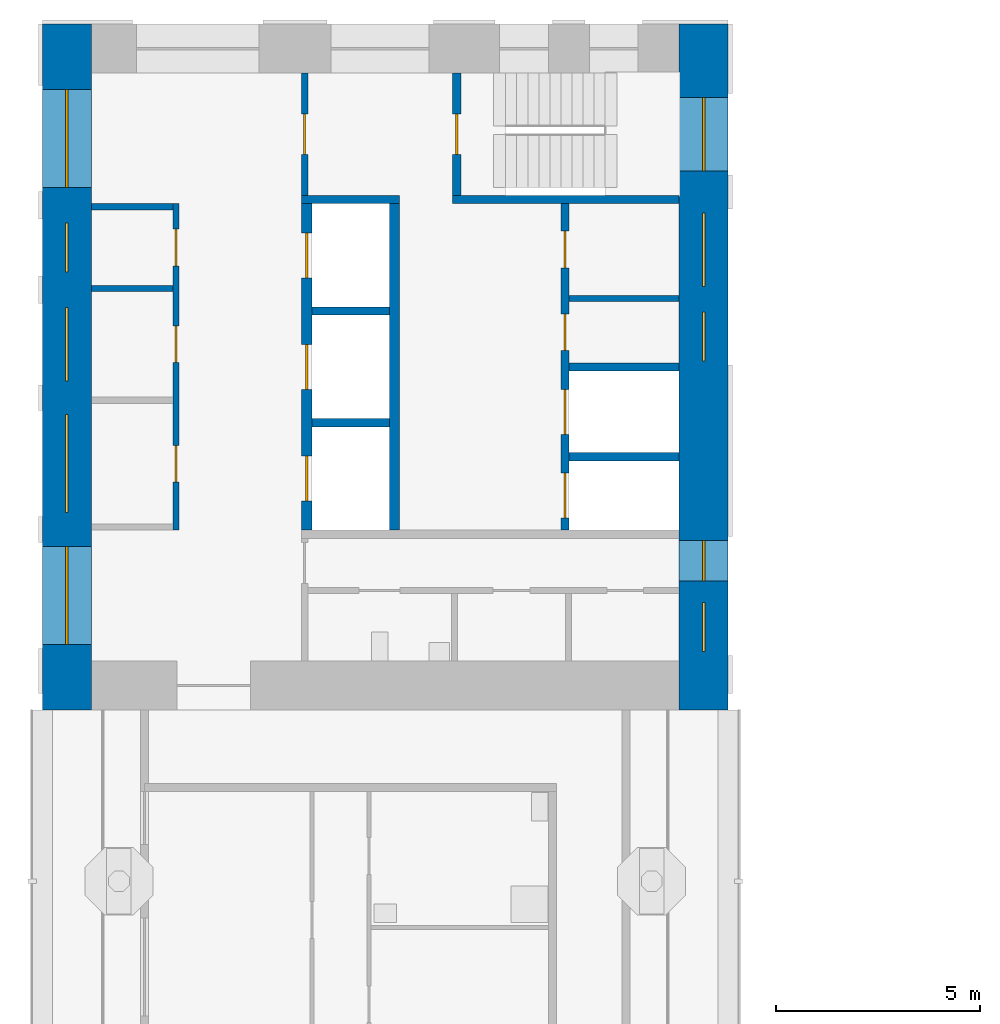
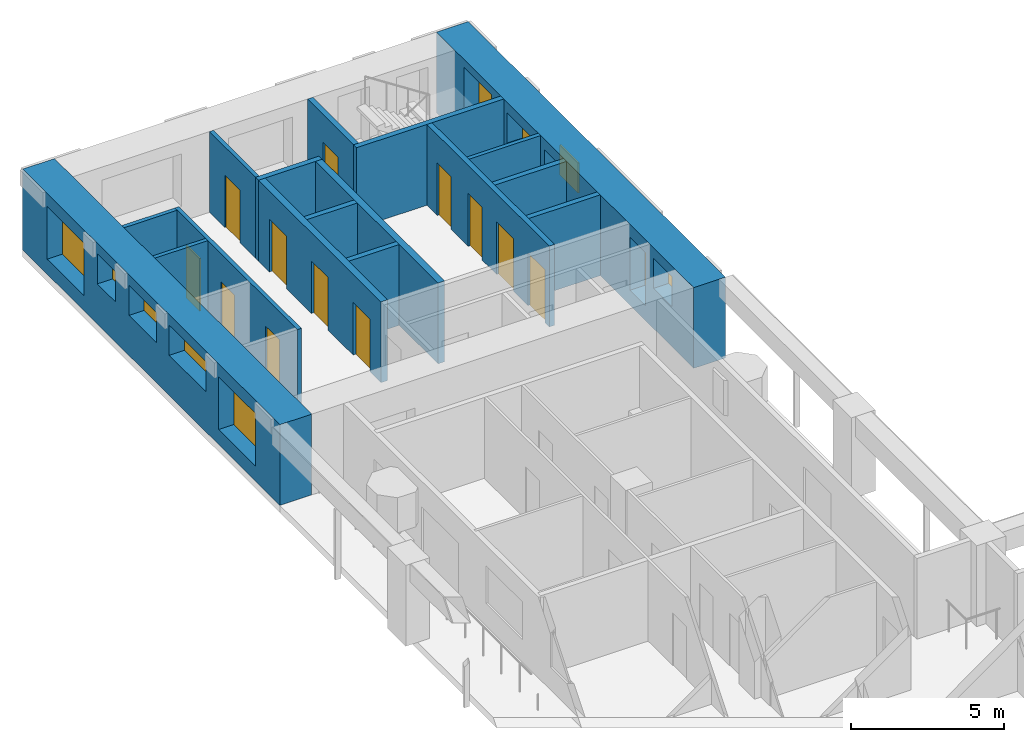
# One storey, part 6 of 13: 17 walls, 12 doors, 10 windows, 22 openings.
"""IFC4 building model written with IfcOpenShell, lengths in metres."""

from ifc_helpers import new_model, si_unit, direction, frame, frame_2d, origin, place, context, subcontext, project, spatial, rectangle, extrude, material, layer, layer_set, type_object, element, fill, save


model = new_model("IFC4")

# Units and contexts
model_context = context("Model", 3, precision=1e-05, world=origin(), true_north=direction((0.0, 1.0)))
body_context = subcontext(model_context, "Body", "Model", "MODEL_VIEW")
ifc_project = project(units=[si_unit("LENGTHUNIT", "METRE"), si_unit("AREAUNIT", "SQUARE_METRE"), si_unit("VOLUMEUNIT", "CUBIC_METRE"), si_unit("PLANEANGLEUNIT", "RADIAN"), si_unit("MASSUNIT", "GRAM", prefix="KILO")], contexts=[model_context])

# Site, building, storey
site_placement = place(None, origin())
site = spatial("IfcSite", under=ifc_project, at=site_placement, CompositionType="ELEMENT")
building_placement = place(site_placement, origin())
building = spatial("IfcBuilding", under=site, at=building_placement, Name="Vermilion Gate Residences", CompositionType="ELEMENT")
storey_placement = place(building_placement, frame((0.0, 0.0, 151.199951171875)))
storey = spatial("IfcBuildingStorey", under=building, at=storey_placement, Name="L38", CompositionType="ELEMENT", Elevation=151.199951171875)

# Walls
ifc_material_1 = material(Name="Masonry blockwork", Category="masonry")
ifc_layer_1 = layer(ifc_material_1, 0.14990234375)
ifc_layer_set_1 = layer_set([ifc_layer_1], Name="BLOCKWORK PARTITION 150 EI 120")
wall_type_1 = type_object("IfcWallType", Name="BLOCKWORK PARTITION 150 EI 120", PredefinedType="PARTITIONING", material=ifc_layer_set_1)
for number, where, z_axis, x_axis, name in (
    (1, (9.60009765625, 54.324951171875, 0.0), (0.0, 0.0, 1.0), (1.0, 0.0, 0.0), "Core room partition B38-RW-W"),
    (2, (9.60009765625, 52.324951171875, 0.0), (0.0, 0.0, 1.0), (1.0, 0.0, 0.0), "Core room partition B38-SR-P0"),
):
    element("IfcWall", number, at=place(storey_placement, frame(where, z_axis=z_axis, x_axis=x_axis)), inside=storey, type_object=wall_type_1, Name=name, PredefinedType="PARTITIONING", context=body_context, shape_type="SweptSolid", body=[
        extrude(rectangle(XDim=2.0, YDim=0.14990234375, at=frame_2d((1.0, 0.0))), origin(), (0.0, 0.0, 1.0), 3.219970703125),
    ])

# Wall, openings, doors
wall_1_placement = place(storey_placement, frame((11.675048828125, 54.39990234375, 0.0), z_axis=(0.0, 0.0, 1.0), x_axis=(0.0, -1.0, 0.0)))
wall_1 = element("IfcWall", 3, at=wall_1_placement, inside=storey, type_object=wall_type_1, Name="Core room partition B38-LR-F", PredefinedType="PARTITIONING", context=body_context, shape_type="SweptSolid", body=[
    extrude(rectangle(XDim=8.0, YDim=0.14990234375, at=frame_2d((4.0, 0.0))), origin(), (0.0, 0.0, 1.0), 3.219970703125),
])
opening_1_placement = place(wall_1_placement, frame((0.625, 0.0, 0.0)))
opening_1 = element("IfcOpeningElement", 4, at=opening_1_placement, cuts=wall_1, Name="Opening DK38102", PredefinedType="OPENING", context=body_context, shape_type="SweptSolid", body=[
    extrude(rectangle(XDim=0.89990234375, YDim=2.10009765625, at=frame_2d((0.449951171875, 1.050048828125))), frame((0.0, 0.0849609375, 0.0), z_axis=(0.0, -1.0, 0.0), x_axis=(1.0, 0.0, 0.0)), (0.0, 0.0, 1.0), 0.169921875),
])
opening_2_placement = place(wall_1_placement, frame((2.9951171875, 0.0, 0.0)))
opening_2 = element("IfcOpeningElement", 5, at=opening_2_placement, cuts=wall_1, Name="Opening DK38103", PredefinedType="OPENING", context=body_context, shape_type="SweptSolid", body=[
    extrude(rectangle(XDim=0.89990234375, YDim=2.10009765625, at=frame_2d((0.449951171875, 1.050048828125))), frame((0.0, 0.0849609375, 0.0), z_axis=(0.0, -1.0, 0.0), x_axis=(1.0, 0.0, 0.0)), (0.0, 0.0, 1.0), 0.169921875),
])
opening_3_placement = place(wall_1_placement, frame((5.919921875, 0.0, 0.0)))
opening_3 = element("IfcOpeningElement", 6, at=opening_3_placement, cuts=wall_1, Name="Opening DK38104", PredefinedType="OPENING", context=body_context, shape_type="SweptSolid", body=[
    extrude(rectangle(XDim=0.89990234375, YDim=2.10009765625, at=frame_2d((0.449951171875, 1.050048828125))), frame((0.0, 0.0849609375, 0.0), z_axis=(0.0, -1.0, 0.0), x_axis=(1.0, 0.0, 0.0)), (0.0, 0.0, 1.0), 0.169921875),
])
ifc_material_2 = material(Name="Steel", Category="steel")
door_type_1 = type_object("IfcDoorType", Name="SERVICE ROOM DOOR FD60 900 X 2100", OperationType="SINGLE_SWING_LEFT", PredefinedType="DOOR", material=ifc_material_2)
door_1_placement = place(opening_1_placement, origin())
door_1 = element("IfcDoor", 7, at=door_1_placement, inside=storey, type_object=door_type_1, Name="Electrical room B38", OperationType="SINGLE_SWING_LEFT", OverallHeight=2.10009765625, OverallWidth=0.89990234375, PredefinedType="DOOR", context=body_context, shape_type="SweptSolid", body=[
    extrude(rectangle(XDim=0.89990234375, YDim=2.10009765625, at=frame_2d((0.449951171875, 1.050048828125))), frame((0.0, 0.02490234375, 0.0), z_axis=(0.0, -1.0, 0.0), x_axis=(1.0, 0.0, 0.0)), (0.0, 0.0, 1.0), 0.050048828125),
])
fill(opening_1, door_1)
door_2_placement = place(opening_2_placement, frame((0.89990234375, 0.0, 0.0), z_axis=(0.0, 0.0, 1.0), x_axis=(-1.0, 0.0, 0.0)))
door_2 = element("IfcDoor", 8, at=door_2_placement, inside=storey, type_object=door_type_1, Name="Communications room B38", OperationType="SINGLE_SWING_LEFT", OverallHeight=2.10009765625, OverallWidth=0.89990234375, PredefinedType="DOOR", context=body_context, shape_type="SweptSolid", body=[
    extrude(rectangle(XDim=0.89990234375, YDim=2.10009765625, at=frame_2d((0.449951171875, 1.050048828125))), frame((0.0, 0.02490234375, 0.0), z_axis=(0.0, -1.0, 0.0), x_axis=(1.0, 0.0, 0.0)), (0.0, 0.0, 1.0), 0.050048828125),
])
fill(opening_2, door_2)
door_3_placement = place(opening_3_placement, frame((0.89990234375, 0.0, 0.0), z_axis=(0.0, 0.0, 1.0), x_axis=(-1.0, 0.0, 0.0)))
door_3 = element("IfcDoor", 9, at=door_3_placement, inside=storey, type_object=door_type_1, Name="Refuse room B38", OperationType="SINGLE_SWING_LEFT", OverallHeight=2.10009765625, OverallWidth=0.89990234375, PredefinedType="DOOR", context=body_context, shape_type="SweptSolid", body=[
    extrude(rectangle(XDim=0.89990234375, YDim=2.10009765625, at=frame_2d((0.449951171875, 1.050048828125))), frame((0.0, 0.02490234375, 0.0), z_axis=(0.0, -1.0, 0.0), x_axis=(1.0, 0.0, 0.0)), (0.0, 0.0, 1.0), 0.050048828125),
])
fill(opening_3, door_3)

# Wall
wall_2_placement = place(storey_placement, frame((21.300048828125, 52.074951171875, 0.0), z_axis=(0.0, 0.0, 1.0), x_axis=(1.0, 0.0, 0.0)))
element("IfcWall", 10, at=wall_2_placement, inside=storey, type_object=wall_type_1, Name="Core room partition B38-NR-P0", PredefinedType="PARTITIONING", context=body_context, shape_type="SweptSolid", body=[
    extrude(rectangle(XDim=2.699951171875, YDim=0.14990234375, at=frame_2d((1.35009765625, 0.0))), origin(), (0.0, 0.0, 1.0), 3.219970703125),
])

# Wall, opening, door
wall_3_placement = place(storey_placement, frame((14.824951171875, 57.60009765625, 0.0), z_axis=(0.0, 0.0, 1.0), x_axis=(0.0, -1.0, 0.0)))
wall_3 = element("IfcWall", 11, at=wall_3_placement, inside=storey, type_object=wall_type_1, Name="Core room partition B38-VW-S", PredefinedType="PARTITIONING", context=body_context, shape_type="SweptSolid", body=[
    extrude(rectangle(XDim=3.0, YDim=0.14990234375, at=frame_2d((1.5, 0.0))), origin(), (0.0, 0.0, 1.0), 3.219970703125),
])
opening_4_placement = place(wall_3_placement, frame((1.0, 0.0, 0.0)))
opening_4 = element("IfcOpeningElement", 12, at=opening_4_placement, cuts=wall_3, Name="Opening DK38112", PredefinedType="OPENING", context=body_context, shape_type="SweptSolid", body=[
    extrude(rectangle(XDim=1.0, YDim=2.10009765625, at=frame_2d((0.5, 1.050048828125))), frame((0.0, 0.0849609375, 0.0), z_axis=(0.0, -1.0, 0.0), x_axis=(1.0, 0.0, 0.0)), (0.0, 0.0, 1.0), 0.169921875),
])
ifc_material_3 = material(Name="Steel", Category="steel")
door_type_2 = type_object("IfcDoorType", Name="FIRE DOOR FD60 1000 X 2100", OperationType="SINGLE_SWING_LEFT", PredefinedType="DOOR", material=ifc_material_3)
door_4_placement = place(opening_4_placement, frame((1.0, 0.0, 0.0), z_axis=(0.0, 0.0, 1.0), x_axis=(-1.0, 0.0, 0.0)))
door_4 = element("IfcDoor", 13, at=door_4_placement, inside=storey, type_object=door_type_2, Name="Stair vestibule door B38", OperationType="SINGLE_SWING_RIGHT", OverallHeight=2.10009765625, OverallWidth=1.0, PredefinedType="DOOR", context=body_context, shape_type="SweptSolid", body=[
    extrude(rectangle(XDim=1.0, YDim=2.10009765625, at=frame_2d((0.5, 1.050048828125))), frame((0.0, 0.02490234375, 0.0), z_axis=(0.0, -1.0, 0.0), x_axis=(1.0, 0.0, 0.0)), (0.0, 0.0, 1.0), 0.050048828125),
])
fill(opening_4, door_4)

# Walls
ifc_material_4 = material(Name="Concrete C60", Category="concrete")
ifc_layer_2 = layer(ifc_material_4, 0.199951171875)
ifc_layer_set_2 = layer_set([ifc_layer_2], Name="RC CORE INTERNAL WALL 200 C60")
wall_type_2 = type_object("IfcWallType", Name="RC CORE INTERNAL WALL 200 C60", PredefinedType="SHEAR", material=ifc_layer_set_2)
for number, where, z_axis, x_axis, name in (
    (14, (15.0, 51.7666015625, 0.0), (0.0, 0.0, 1.0), (1.0, 0.0, 0.0), "Core internal wall B38-HR-D1"),
    (15, (15.0, 49.033447265625, 0.0), (0.0, 0.0, 1.0), (1.0, 0.0, 0.0), "Core internal wall B38-HR-D2"),
):
    element("IfcWall", number, at=place(storey_placement, frame(where, z_axis=z_axis, x_axis=x_axis)), inside=storey, type_object=wall_type_2, Name=name, PredefinedType="SHEAR", context=body_context, shape_type="SweptSolid", body=[
        extrude(rectangle(XDim=1.89990234375, YDim=0.199951171875, at=frame_2d((0.949951171875, 0.0))), origin(), (0.0, 0.0, 1.0), 3.219970703125),
    ])
for number, where, z_axis, x_axis, name in (
    (16, (21.300048828125, 50.39990234375, 0.0), (0.0, 0.0, 1.0), (1.0, 0.0, 0.0), "Core internal wall B38-FF-D0"),
    (17, (21.300048828125, 48.199951171875, 0.0), (0.0, 0.0, 1.0), (1.0, 0.0, 0.0), "Core internal wall B38-FF-D1"),
):
    element("IfcWall", number, at=place(storey_placement, frame(where, z_axis=z_axis, x_axis=x_axis)), inside=storey, type_object=wall_type_2, Name=name, PredefinedType="SHEAR", context=body_context, shape_type="SweptSolid", body=[
        extrude(rectangle(XDim=2.699951171875, YDim=0.199951171875, at=frame_2d((1.35009765625, 0.0))), origin(), (0.0, 0.0, 1.0), 3.219970703125),
    ])

# Wall, openings, doors
wall_4_placement = place(storey_placement, frame((21.199951171875, 54.39990234375, 0.0), z_axis=(0.0, 0.0, 1.0), x_axis=(0.0, -1.0, 0.0)))
wall_4 = element("IfcWall", 18, at=wall_4_placement, inside=storey, type_object=wall_type_2, Name="Core internal wall B38-FF-F", PredefinedType="SHEAR", context=body_context, shape_type="SweptSolid", body=[
    extrude(rectangle(XDim=8.0, YDim=0.199951171875, at=frame_2d((4.0, 0.0))), origin(), (0.0, 0.0, 1.0), 3.219970703125),
])
opening_5_placement = place(wall_4_placement, frame((0.675048828125, 0.0, 0.0)))
opening_5 = element("IfcOpeningElement", 19, at=opening_5_placement, cuts=wall_4, Name="Opening DK38108", PredefinedType="OPENING", context=body_context, shape_type="SweptSolid", body=[
    extrude(rectangle(XDim=0.89990234375, YDim=2.10009765625, at=frame_2d((0.449951171875, 1.050048828125))), frame((0.0, 0.10986328125, 0.0), z_axis=(0.0, -1.0, 0.0), x_axis=(1.0, 0.0, 0.0)), (0.0, 0.0, 1.0), 0.219970703125),
])
opening_6_placement = place(wall_4_placement, frame((2.699951171875, 0.0, 0.0)))
opening_6 = element("IfcOpeningElement", 20, at=opening_6_placement, cuts=wall_4, Name="Opening DK38109", PredefinedType="OPENING", context=body_context, shape_type="SweptSolid", body=[
    extrude(rectangle(XDim=0.89990234375, YDim=2.10009765625, at=frame_2d((0.449951171875, 1.050048828125))), frame((0.0, 0.10986328125, 0.0), z_axis=(0.0, -1.0, 0.0), x_axis=(1.0, 0.0, 0.0)), (0.0, 0.0, 1.0), 0.219970703125),
])
opening_7_placement = place(wall_4_placement, frame((4.550048828125, 0.0, 0.0)))
opening_7 = element("IfcOpeningElement", 21, at=opening_7_placement, cuts=wall_4, Name="Opening LD", PredefinedType="OPENING", context=body_context, shape_type="SweptSolid", body=[
    extrude(rectangle(XDim=1.10009765625, YDim=2.10009765625, at=frame_2d((0.550048828125, 1.050048828125))), frame((0.0, 0.10986328125, 0.0), z_axis=(0.0, -1.0, 0.0), x_axis=(1.0, 0.0, 0.0)), (0.0, 0.0, 1.0), 0.219970703125),
])
opening_8_placement = place(wall_4_placement, frame((6.60009765625, 0.0, 0.0)))
opening_8 = element("IfcOpeningElement", 22, at=opening_8_placement, cuts=wall_4, Name="Opening LD", PredefinedType="OPENING", context=body_context, shape_type="SweptSolid", body=[
    extrude(rectangle(XDim=1.10009765625, YDim=2.10009765625, at=frame_2d((0.550048828125, 1.050048828125))), frame((0.0, 0.10986328125, 0.0), z_axis=(0.0, -1.0, 0.0), x_axis=(1.0, 0.0, 0.0)), (0.0, 0.0, 1.0), 0.219970703125),
])
ifc_material_5 = material(Name="Stainless steel", Category="steel")
door_type_3 = type_object("IfcDoorType", Name="LIFT LANDING DOOR E60 1100 X 2100", OperationType="DOUBLE_DOOR_SLIDING", PredefinedType="DOOR", material=ifc_material_5)
door_5_placement = place(opening_7_placement, origin())
door_5 = element("IfcDoor", 23, at=door_5_placement, inside=storey, type_object=door_type_3, Name="Lift landing door LFB1", OperationType="DOUBLE_DOOR_SLIDING", OverallHeight=2.10009765625, OverallWidth=1.10009765625, PredefinedType="DOOR", context=body_context, shape_type="SweptSolid", body=[
    extrude(rectangle(XDim=1.10009765625, YDim=2.10009765625, at=frame_2d((0.550048828125, 1.050048828125))), frame((0.0, 0.02490234375, 0.0), z_axis=(0.0, -1.0, 0.0), x_axis=(1.0, 0.0, 0.0)), (0.0, 0.0, 1.0), 0.050048828125),
])
fill(opening_7, door_5)
door_6_placement = place(opening_8_placement, origin())
door_6 = element("IfcDoor", 24, at=door_6_placement, inside=storey, type_object=door_type_3, Name="Lift landing door LCB1", OperationType="DOUBLE_DOOR_SLIDING", OverallHeight=2.10009765625, OverallWidth=1.10009765625, PredefinedType="DOOR", context=body_context, shape_type="SweptSolid", body=[
    extrude(rectangle(XDim=1.10009765625, YDim=2.10009765625, at=frame_2d((0.550048828125, 1.050048828125))), frame((0.0, 0.02490234375, 0.0), z_axis=(0.0, -1.0, 0.0), x_axis=(1.0, 0.0, 0.0)), (0.0, 0.0, 1.0), 0.050048828125),
])
fill(opening_8, door_6)
door_7_placement = place(opening_5_placement, origin())
door_7 = element("IfcDoor", 25, at=door_7_placement, inside=storey, type_object=door_type_1, Name="Electrical riser B38", OperationType="SINGLE_SWING_RIGHT", OverallHeight=2.10009765625, OverallWidth=0.89990234375, PredefinedType="DOOR", context=body_context, shape_type="SweptSolid", body=[
    extrude(rectangle(XDim=0.89990234375, YDim=2.10009765625, at=frame_2d((0.449951171875, 1.050048828125))), frame((0.0, 0.02490234375, 0.0), z_axis=(0.0, -1.0, 0.0), x_axis=(1.0, 0.0, 0.0)), (0.0, 0.0, 1.0), 0.050048828125),
])
fill(opening_5, door_7)
door_8_placement = place(opening_6_placement, origin())
door_8 = element("IfcDoor", 26, at=door_8_placement, inside=storey, type_object=door_type_1, Name="Cleaner's store B38", OperationType="SINGLE_SWING_RIGHT", OverallHeight=2.10009765625, OverallWidth=0.89990234375, PredefinedType="DOOR", context=body_context, shape_type="SweptSolid", body=[
    extrude(rectangle(XDim=0.89990234375, YDim=2.10009765625, at=frame_2d((0.449951171875, 1.050048828125))), frame((0.0, 0.02490234375, 0.0), z_axis=(0.0, -1.0, 0.0), x_axis=(1.0, 0.0, 0.0)), (0.0, 0.0, 1.0), 0.050048828125),
])
fill(opening_6, door_8)

# Walls
wall_5_placement = place(storey_placement, frame((14.75, 54.5, 0.0), z_axis=(0.0, 0.0, 1.0), x_axis=(1.0, 0.0, 0.0)))
element("IfcWall", 27, at=wall_5_placement, inside=storey, type_object=wall_type_2, Name="Core internal wall B38-WDIV1", PredefinedType="SHEAR", context=body_context, shape_type="SweptSolid", body=[
    extrude(rectangle(XDim=2.39990234375, YDim=0.199951171875, at=frame_2d((1.199951171875, 0.0))), origin(), (0.0, 0.0, 1.0), 3.219970703125),
])
wall_6_placement = place(storey_placement, frame((18.449951171875, 54.5, 0.0), z_axis=(0.0, 0.0, 1.0), x_axis=(1.0, 0.0, 0.0)))
element("IfcWall", 28, at=wall_6_placement, inside=storey, type_object=wall_type_2, Name="Core internal wall B38-WDIV2", PredefinedType="SHEAR", context=body_context, shape_type="SweptSolid", body=[
    extrude(rectangle(XDim=5.550048828125, YDim=0.199951171875, at=frame_2d((2.77490234375, 0.0))), origin(), (0.0, 0.0, 1.0), 3.219970703125),
])

# Wall, opening, door
wall_7_placement = place(storey_placement, frame((18.550048828125, 57.60009765625, 0.0), z_axis=(0.0, 0.0, 1.0), x_axis=(0.0, -1.0, 0.0)))
wall_7 = element("IfcWall", 29, at=wall_7_placement, inside=storey, type_object=wall_type_2, Name="Core internal wall B38-STW-S", PredefinedType="SHEAR", context=body_context, shape_type="SweptSolid", body=[
    extrude(rectangle(XDim=3.0, YDim=0.199951171875, at=frame_2d((1.5, 0.0))), origin(), (0.0, 0.0, 1.0), 3.219970703125),
])
opening_9_placement = place(wall_7_placement, frame((1.0, 0.0, 0.0)))
opening_9 = element("IfcOpeningElement", 30, at=opening_9_placement, cuts=wall_7, Name="Opening DK38113", PredefinedType="OPENING", context=body_context, shape_type="SweptSolid", body=[
    extrude(rectangle(XDim=1.0, YDim=2.10009765625, at=frame_2d((0.5, 1.050048828125))), frame((0.0, 0.10986328125, 0.0), z_axis=(0.0, -1.0, 0.0), x_axis=(1.0, 0.0, 0.0)), (0.0, 0.0, 1.0), 0.219970703125),
])
door_9_placement = place(opening_9_placement, origin())
door_9 = element("IfcDoor", 31, at=door_9_placement, inside=storey, type_object=door_type_2, Name="Stair door B38", OperationType="SINGLE_SWING_LEFT", OverallHeight=2.10009765625, OverallWidth=1.0, PredefinedType="DOOR", context=body_context, shape_type="SweptSolid", body=[
    extrude(rectangle(XDim=1.0, YDim=2.10009765625, at=frame_2d((0.5, 1.050048828125))), frame((0.0, 0.02490234375, 0.0), z_axis=(0.0, -1.0, 0.0), x_axis=(1.0, 0.0, 0.0)), (0.0, 0.0, 1.0), 0.050048828125),
])
fill(opening_9, door_9)

# Wall, openings, windows
ifc_material_6 = material(Name="Concrete C60 red-oxide pigmented", Category="concrete")
ifc_layer_3 = layer(ifc_material_6, 1.199951171875)
ifc_layer_set_3 = layer_set([ifc_layer_3], Name="RC CORE WALL 1200 C60 RED OXIDE")
wall_type_3 = type_object("IfcWallType", Name="RC CORE WALL 1200 C60 RED OXIDE", PredefinedType="SHEAR", material=ifc_layer_set_3)
wall_8_placement = place(storey_placement, frame((9.0, 58.800048828125, 0.0), z_axis=(0.0, 0.0, 1.0), x_axis=(0.0, -1.0, 0.0)))
wall_8 = element("IfcWall", 32, at=wall_8_placement, inside=storey, type_object=wall_type_3, Name="Core wall B38-OUT-B0", PredefinedType="SHEAR", context=body_context, shape_type="SweptSolid", body=[
    extrude(rectangle(XDim=16.800048828125, YDim=1.199951171875, at=frame_2d((8.39990234375, 0.0))), origin(), (0.0, 0.0, 1.0), 3.219970703125),
])
opening_10_placement = place(wall_8_placement, frame((1.60009765625, 0.0, 0.60009765625)))
opening_10 = element("IfcOpeningElement", 33, at=opening_10_placement, cuts=wall_8, Name="Opening WKB3801", PredefinedType="OPENING", context=body_context, shape_type="SweptSolid", body=[
    extrude(rectangle(XDim=2.39990234375, YDim=2.10009765625, at=frame_2d((1.199951171875, 1.050048828125))), frame((0.0, 0.60986328125, 0.0), z_axis=(0.0, -1.0, 0.0), x_axis=(1.0, 0.0, 0.0)), (0.0, 0.0, 1.0), 1.219970703125),
])
opening_11_placement = place(wall_8_placement, frame((4.875, 0.0, 1.60009765625)))
opening_11 = element("IfcOpeningElement", 34, at=opening_11_placement, cuts=wall_8, Name="Opening WKB3802", PredefinedType="OPENING", context=body_context, shape_type="SweptSolid", body=[
    extrude(rectangle(XDim=1.199951171875, YDim=1.199951171875, at=frame_2d((0.60009765625, 0.60009765625))), frame((0.0, 0.60986328125, 0.0), z_axis=(0.0, -1.0, 0.0), x_axis=(1.0, 0.0, 0.0)), (0.0, 0.0, 1.0), 1.219970703125),
])
opening_12_placement = place(wall_8_placement, frame((6.945068359375, 0.0, 1.60009765625)))
opening_12 = element("IfcOpeningElement", 35, at=opening_12_placement, cuts=wall_8, Name="Opening WKB3803", PredefinedType="OPENING", context=body_context, shape_type="SweptSolid", body=[
    extrude(rectangle(XDim=1.800048828125, YDim=1.199951171875, at=frame_2d((0.89990234375, 0.60009765625))), frame((0.0, 0.60986328125, 0.0), z_axis=(0.0, -1.0, 0.0), x_axis=(1.0, 0.0, 0.0)), (0.0, 0.0, 1.0), 1.219970703125),
])
opening_13_placement = place(wall_8_placement, frame((9.570068359375, 0.0, 1.60009765625)))
opening_13 = element("IfcOpeningElement", 36, at=opening_13_placement, cuts=wall_8, Name="Opening WKB3804", PredefinedType="OPENING", context=body_context, shape_type="SweptSolid", body=[
    extrude(rectangle(XDim=2.39990234375, YDim=1.199951171875, at=frame_2d((1.199951171875, 0.60009765625))), frame((0.0, 0.60986328125, 0.0), z_axis=(0.0, -1.0, 0.0), x_axis=(1.0, 0.0, 0.0)), (0.0, 0.0, 1.0), 1.219970703125),
])
opening_14_placement = place(wall_8_placement, frame((12.800048828125, 0.0, 0.60009765625)))
opening_14 = element("IfcOpeningElement", 37, at=opening_14_placement, cuts=wall_8, Name="Opening WKB3805", PredefinedType="OPENING", context=body_context, shape_type="SweptSolid", body=[
    extrude(rectangle(XDim=2.39990234375, YDim=2.10009765625, at=frame_2d((1.199951171875, 1.050048828125))), frame((0.0, 0.60986328125, 0.0), z_axis=(0.0, -1.0, 0.0), x_axis=(1.0, 0.0, 0.0)), (0.0, 0.0, 1.0), 1.219970703125),
])
ifc_material_7 = material(Name="Aluminium and clear glass", Category="aluminium")
window_type_1 = type_object("IfcWindowType", Name="CORE LOBBY WINDOW 2400 X 2100", PartitioningType="SINGLE_PANEL", PredefinedType="WINDOW", material=ifc_material_7)
window_1_placement = place(opening_10_placement, origin())
window_1 = element("IfcWindow", 38, at=window_1_placement, inside=storey, type_object=window_type_1, Name="Core lobby window", OverallHeight=2.10009765625, OverallWidth=2.39990234375, PartitioningType="SINGLE_PANEL", PredefinedType="WINDOW", context=body_context, shape_type="SweptSolid", body=[
    extrude(rectangle(XDim=2.39990234375, YDim=2.10009765625, at=frame_2d((1.199951171875, 1.050048828125))), frame((0.0, 0.030029296875, 0.0), z_axis=(0.0, -1.0, 0.0), x_axis=(1.0, 0.0, 0.0)), (0.0, 0.0, 1.0), 0.06005859375),
])
fill(opening_10, window_1)
window_2_placement = place(opening_14_placement, origin())
window_2 = element("IfcWindow", 39, at=window_2_placement, inside=storey, type_object=window_type_1, Name="Core lobby window", OverallHeight=2.10009765625, OverallWidth=2.39990234375, PartitioningType="SINGLE_PANEL", PredefinedType="WINDOW", context=body_context, shape_type="SweptSolid", body=[
    extrude(rectangle(XDim=2.39990234375, YDim=2.10009765625, at=frame_2d((1.199951171875, 1.050048828125))), frame((0.0, 0.030029296875, 0.0), z_axis=(0.0, -1.0, 0.0), x_axis=(1.0, 0.0, 0.0)), (0.0, 0.0, 1.0), 0.06005859375),
])
fill(opening_14, window_2)
ifc_material_8 = material(Name="Aluminium frame with louvre blades", Category="aluminium")
window_type_2 = type_object("IfcWindowType", Name="CORE LOUVRE 1200 X 1200", PartitioningType="SINGLE_PANEL", PredefinedType="WINDOW", material=ifc_material_8)
window_3_placement = place(opening_11_placement, origin())
window_3 = element("IfcWindow", 40, at=window_3_placement, inside=storey, type_object=window_type_2, Name="Core louvre", OverallHeight=1.199951171875, OverallWidth=1.199951171875, PartitioningType="SINGLE_PANEL", PredefinedType="WINDOW", context=body_context, shape_type="SweptSolid", body=[
    extrude(rectangle(XDim=1.199951171875, YDim=1.199951171875, at=frame_2d((0.60009765625, 0.60009765625))), frame((0.0, 0.030029296875, 0.0), z_axis=(0.0, -1.0, 0.0), x_axis=(1.0, 0.0, 0.0)), (0.0, 0.0, 1.0), 0.06005859375),
])
fill(opening_11, window_3)
ifc_material_9 = material(Name="Aluminium frame with louvre blades", Category="aluminium")
window_type_3 = type_object("IfcWindowType", Name="CORE LOUVRE 1800 X 1200", PartitioningType="SINGLE_PANEL", PredefinedType="WINDOW", material=ifc_material_9)
window_4_placement = place(opening_12_placement, origin())
window_4 = element("IfcWindow", 41, at=window_4_placement, inside=storey, type_object=window_type_3, Name="Core louvre", OverallHeight=1.199951171875, OverallWidth=1.800048828125, PartitioningType="SINGLE_PANEL", PredefinedType="WINDOW", context=body_context, shape_type="SweptSolid", body=[
    extrude(rectangle(XDim=1.800048828125, YDim=1.199951171875, at=frame_2d((0.89990234375, 0.60009765625))), frame((0.0, 0.030029296875, 0.0), z_axis=(0.0, -1.0, 0.0), x_axis=(1.0, 0.0, 0.0)), (0.0, 0.0, 1.0), 0.06005859375),
])
fill(opening_12, window_4)
ifc_material_10 = material(Name="Aluminium frame with louvre blades", Category="aluminium")
window_type_4 = type_object("IfcWindowType", Name="CORE LOUVRE 2400 X 1200", PartitioningType="SINGLE_PANEL", PredefinedType="WINDOW", material=ifc_material_10)
window_5_placement = place(opening_13_placement, origin())
window_5 = element("IfcWindow", 42, at=window_5_placement, inside=storey, type_object=window_type_4, Name="Core louvre", OverallHeight=1.199951171875, OverallWidth=2.39990234375, PartitioningType="SINGLE_PANEL", PredefinedType="WINDOW", context=body_context, shape_type="SweptSolid", body=[
    extrude(rectangle(XDim=2.39990234375, YDim=1.199951171875, at=frame_2d((1.199951171875, 0.60009765625))), frame((0.0, 0.030029296875, 0.0), z_axis=(0.0, -1.0, 0.0), x_axis=(1.0, 0.0, 0.0)), (0.0, 0.0, 1.0), 0.06005859375),
])
fill(opening_13, window_5)

wall_9_placement = place(storey_placement, frame((24.60009765625, 58.800048828125, 0.0), z_axis=(0.0, 0.0, 1.0), x_axis=(0.0, -1.0, 0.0)))
wall_9 = element("IfcWall", 43, at=wall_9_placement, inside=storey, type_object=wall_type_3, Name="Core wall B38-OUT-B1", PredefinedType="SHEAR", context=body_context, shape_type="SweptSolid", body=[
    extrude(rectangle(XDim=16.800048828125, YDim=1.199951171875, at=frame_2d((8.39990234375, 0.0))), origin(), (0.0, 0.0, 1.0), 3.219970703125),
])
opening_15_placement = place(wall_9_placement, frame((1.800048828125, 0.0, 0.5)))
opening_15 = element("IfcOpeningElement", 44, at=opening_15_placement, cuts=wall_9, Name="Opening WKB3806", PredefinedType="OPENING", context=body_context, shape_type="SweptSolid", body=[
    extrude(rectangle(XDim=1.800048828125, YDim=2.39990234375, at=frame_2d((0.89990234375, 1.199951171875))), frame((0.0, 0.60986328125, 0.0), z_axis=(0.0, -1.0, 0.0), x_axis=(1.0, 0.0, 0.0)), (0.0, 0.0, 1.0), 1.219970703125),
])
opening_16_placement = place(wall_9_placement, frame((4.625, 0.0, 1.60009765625)))
opening_16 = element("IfcOpeningElement", 45, at=opening_16_placement, cuts=wall_9, Name="Opening WKB3807", PredefinedType="OPENING", context=body_context, shape_type="SweptSolid", body=[
    extrude(rectangle(XDim=1.800048828125, YDim=1.199951171875, at=frame_2d((0.89990234375, 0.60009765625))), frame((0.0, 0.60986328125, 0.0), z_axis=(0.0, -1.0, 0.0), x_axis=(1.0, 0.0, 0.0)), (0.0, 0.0, 1.0), 1.219970703125),
])
opening_17_placement = place(wall_9_placement, frame((7.050048828125, 0.0, 1.60009765625)))
opening_17 = element("IfcOpeningElement", 46, at=opening_17_placement, cuts=wall_9, Name="Opening WKB3808", PredefinedType="OPENING", context=body_context, shape_type="SweptSolid", body=[
    extrude(rectangle(XDim=1.199951171875, YDim=1.199951171875, at=frame_2d((0.60009765625, 0.60009765625))), frame((0.0, 0.60986328125, 0.0), z_axis=(0.0, -1.0, 0.0), x_axis=(1.0, 0.0, 0.0)), (0.0, 0.0, 1.0), 1.219970703125),
])
opening_18_placement = place(wall_9_placement, frame((12.64990234375, 0.0, 0.60009765625)))
opening_18 = element("IfcOpeningElement", 47, at=opening_18_placement, cuts=wall_9, Name="Opening WKB3809", PredefinedType="OPENING", context=body_context, shape_type="SweptSolid", body=[
    extrude(rectangle(XDim=1.0, YDim=2.10009765625, at=frame_2d((0.5, 1.050048828125))), frame((0.0, 0.60986328125, 0.0), z_axis=(0.0, -1.0, 0.0), x_axis=(1.0, 0.0, 0.0)), (0.0, 0.0, 1.0), 1.219970703125),
])
opening_19_placement = place(wall_9_placement, frame((14.175048828125, 0.0, 1.60009765625)))
opening_19 = element("IfcOpeningElement", 48, at=opening_19_placement, cuts=wall_9, Name="Opening WKB3810", PredefinedType="OPENING", context=body_context, shape_type="SweptSolid", body=[
    extrude(rectangle(XDim=1.199951171875, YDim=1.199951171875, at=frame_2d((0.60009765625, 0.60009765625))), frame((0.0, 0.60986328125, 0.0), z_axis=(0.0, -1.0, 0.0), x_axis=(1.0, 0.0, 0.0)), (0.0, 0.0, 1.0), 1.219970703125),
])
ifc_material_11 = material(Name="Aluminium and clear glass", Category="aluminium")
window_type_5 = type_object("IfcWindowType", Name="CORE CORRIDOR WINDOW 1000 X 2100", PartitioningType="SINGLE_PANEL", PredefinedType="WINDOW", material=ifc_material_11)
window_6_placement = place(opening_18_placement, origin())
window_6 = element("IfcWindow", 49, at=window_6_placement, inside=storey, type_object=window_type_5, Name="Core corridor window", OverallHeight=2.10009765625, OverallWidth=1.0, PartitioningType="SINGLE_PANEL", PredefinedType="WINDOW", context=body_context, shape_type="SweptSolid", body=[
    extrude(rectangle(XDim=1.0, YDim=2.10009765625, at=frame_2d((0.5, 1.050048828125))), frame((0.0, 0.030029296875, 0.0), z_axis=(0.0, -1.0, 0.0), x_axis=(1.0, 0.0, 0.0)), (0.0, 0.0, 1.0), 0.06005859375),
])
fill(opening_18, window_6)
window_7_placement = place(opening_17_placement, origin())
window_7 = element("IfcWindow", 50, at=window_7_placement, inside=storey, type_object=window_type_2, Name="Core louvre", OverallHeight=1.199951171875, OverallWidth=1.199951171875, PartitioningType="SINGLE_PANEL", PredefinedType="WINDOW", context=body_context, shape_type="SweptSolid", body=[
    extrude(rectangle(XDim=1.199951171875, YDim=1.199951171875, at=frame_2d((0.60009765625, 0.60009765625))), frame((0.0, 0.030029296875, 0.0), z_axis=(0.0, -1.0, 0.0), x_axis=(1.0, 0.0, 0.0)), (0.0, 0.0, 1.0), 0.06005859375),
])
fill(opening_17, window_7)
window_8_placement = place(opening_19_placement, origin())
window_8 = element("IfcWindow", 51, at=window_8_placement, inside=storey, type_object=window_type_2, Name="Core louvre", OverallHeight=1.199951171875, OverallWidth=1.199951171875, PartitioningType="SINGLE_PANEL", PredefinedType="WINDOW", context=body_context, shape_type="SweptSolid", body=[
    extrude(rectangle(XDim=1.199951171875, YDim=1.199951171875, at=frame_2d((0.60009765625, 0.60009765625))), frame((0.0, 0.030029296875, 0.0), z_axis=(0.0, -1.0, 0.0), x_axis=(1.0, 0.0, 0.0)), (0.0, 0.0, 1.0), 0.06005859375),
])
fill(opening_19, window_8)
window_9_placement = place(opening_16_placement, origin())
window_9 = element("IfcWindow", 52, at=window_9_placement, inside=storey, type_object=window_type_3, Name="Core louvre", OverallHeight=1.199951171875, OverallWidth=1.800048828125, PartitioningType="SINGLE_PANEL", PredefinedType="WINDOW", context=body_context, shape_type="SweptSolid", body=[
    extrude(rectangle(XDim=1.800048828125, YDim=1.199951171875, at=frame_2d((0.89990234375, 0.60009765625))), frame((0.0, 0.030029296875, 0.0), z_axis=(0.0, -1.0, 0.0), x_axis=(1.0, 0.0, 0.0)), (0.0, 0.0, 1.0), 0.06005859375),
])
fill(opening_16, window_9)
ifc_material_12 = material(Name="Aluminium and clear glass", Category="aluminium")
window_type_6 = type_object("IfcWindowType", Name="CORE STAIR WINDOW 1800 X 2400", PartitioningType="SINGLE_PANEL", PredefinedType="WINDOW", material=ifc_material_12)
window_10_placement = place(opening_15_placement, origin())
window_10 = element("IfcWindow", 53, at=window_10_placement, inside=storey, type_object=window_type_6, Name="Core stair window", OverallHeight=2.39990234375, OverallWidth=1.800048828125, PartitioningType="SINGLE_PANEL", PredefinedType="WINDOW", context=body_context, shape_type="SweptSolid", body=[
    extrude(rectangle(XDim=1.800048828125, YDim=2.39990234375, at=frame_2d((0.89990234375, 1.199951171875))), frame((0.0, 0.030029296875, 0.0), z_axis=(0.0, -1.0, 0.0), x_axis=(1.0, 0.0, 0.0)), (0.0, 0.0, 1.0), 0.06005859375),
])
fill(opening_15, window_10)

# Wall, openings, doors
ifc_material_13 = material(Name="Concrete C60", Category="concrete")
ifc_layer_4 = layer(ifc_material_13, 0.25)
ifc_layer_set_4 = layer_set([ifc_layer_4], Name="RC LIFT SHAFT WALL 250 C60")
wall_type_4 = type_object("IfcWallType", Name="RC LIFT SHAFT WALL 250 C60", PredefinedType="SHEAR", material=ifc_layer_set_4)
wall_10_placement = place(storey_placement, frame((14.875, 54.39990234375, 0.0), z_axis=(0.0, 0.0, 1.0), x_axis=(0.0, -1.0, 0.0)))
wall_10 = element("IfcWall", 54, at=wall_10_placement, inside=storey, type_object=wall_type_4, Name="Lift shaft wall B38-HR-F", PredefinedType="SHEAR", context=body_context, shape_type="SweptSolid", body=[
    extrude(rectangle(XDim=8.0, YDim=0.25, at=frame_2d((4.0, 0.0))), origin(), (0.0, 0.0, 1.0), 3.219970703125),
])
opening_20_placement = place(wall_10_placement, frame((0.716552734375, 0.0, 0.0)))
opening_20 = element("IfcOpeningElement", 55, at=opening_20_placement, cuts=wall_10, Name="Opening LD", PredefinedType="OPENING", context=body_context, shape_type="SweptSolid", body=[
    extrude(rectangle(XDim=1.10009765625, YDim=2.10009765625, at=frame_2d((0.550048828125, 1.050048828125))), frame((0.0, 0.135009765625, 0.0), z_axis=(0.0, -1.0, 0.0), x_axis=(1.0, 0.0, 0.0)), (0.0, 0.0, 1.0), 0.27001953125),
])
opening_21_placement = place(wall_10_placement, frame((3.449951171875, 0.0, 0.0)))
opening_21 = element("IfcOpeningElement", 56, at=opening_21_placement, cuts=wall_10, Name="Opening LD", PredefinedType="OPENING", context=body_context, shape_type="SweptSolid", body=[
    extrude(rectangle(XDim=1.10009765625, YDim=2.10009765625, at=frame_2d((0.550048828125, 1.050048828125))), frame((0.0, 0.135009765625, 0.0), z_axis=(0.0, -1.0, 0.0), x_axis=(1.0, 0.0, 0.0)), (0.0, 0.0, 1.0), 0.27001953125),
])
opening_22_placement = place(wall_10_placement, frame((6.183349609375, 0.0, 0.0)))
opening_22 = element("IfcOpeningElement", 57, at=opening_22_placement, cuts=wall_10, Name="Opening LD", PredefinedType="OPENING", context=body_context, shape_type="SweptSolid", body=[
    extrude(rectangle(XDim=1.10009765625, YDim=2.10009765625, at=frame_2d((0.550048828125, 1.050048828125))), frame((0.0, 0.135009765625, 0.0), z_axis=(0.0, -1.0, 0.0), x_axis=(1.0, 0.0, 0.0)), (0.0, 0.0, 1.0), 0.27001953125),
])
door_10_placement = place(opening_20_placement, origin())
door_10 = element("IfcDoor", 58, at=door_10_placement, inside=storey, type_object=door_type_3, Name="Lift landing door HRB1", OperationType="DOUBLE_DOOR_SLIDING", OverallHeight=2.10009765625, OverallWidth=1.10009765625, PredefinedType="DOOR", context=body_context, shape_type="SweptSolid", body=[
    extrude(rectangle(XDim=1.10009765625, YDim=2.10009765625, at=frame_2d((0.550048828125, 1.050048828125))), frame((0.0, 0.02490234375, 0.0), z_axis=(0.0, -1.0, 0.0), x_axis=(1.0, 0.0, 0.0)), (0.0, 0.0, 1.0), 0.050048828125),
])
fill(opening_20, door_10)
door_11_placement = place(opening_21_placement, origin())
door_11 = element("IfcDoor", 59, at=door_11_placement, inside=storey, type_object=door_type_3, Name="Lift landing door HRB2", OperationType="DOUBLE_DOOR_SLIDING", OverallHeight=2.10009765625, OverallWidth=1.10009765625, PredefinedType="DOOR", context=body_context, shape_type="SweptSolid", body=[
    extrude(rectangle(XDim=1.10009765625, YDim=2.10009765625, at=frame_2d((0.550048828125, 1.050048828125))), frame((0.0, 0.02490234375, 0.0), z_axis=(0.0, -1.0, 0.0), x_axis=(1.0, 0.0, 0.0)), (0.0, 0.0, 1.0), 0.050048828125),
])
fill(opening_21, door_11)
door_12_placement = place(opening_22_placement, origin())
door_12 = element("IfcDoor", 60, at=door_12_placement, inside=storey, type_object=door_type_3, Name="Lift landing door HRB3", OperationType="DOUBLE_DOOR_SLIDING", OverallHeight=2.10009765625, OverallWidth=1.10009765625, PredefinedType="DOOR", context=body_context, shape_type="SweptSolid", body=[
    extrude(rectangle(XDim=1.10009765625, YDim=2.10009765625, at=frame_2d((0.550048828125, 1.050048828125))), frame((0.0, 0.02490234375, 0.0), z_axis=(0.0, -1.0, 0.0), x_axis=(1.0, 0.0, 0.0)), (0.0, 0.0, 1.0), 0.050048828125),
])
fill(opening_22, door_12)

# Wall
wall_11_placement = place(storey_placement, frame((17.02490234375, 54.39990234375, 0.0), z_axis=(0.0, 0.0, 1.0), x_axis=(0.0, -1.0, 0.0)))
element("IfcWall", 61, at=wall_11_placement, inside=storey, type_object=wall_type_4, Name="Lift shaft wall B38-HR-B", PredefinedType="SHEAR", context=body_context, shape_type="SweptSolid", body=[
    extrude(rectangle(XDim=8.0, YDim=0.25, at=frame_2d((4.0, 0.0))), origin(), (0.0, 0.0, 1.0), 3.219970703125),
])

save(model, "model.ifc")
